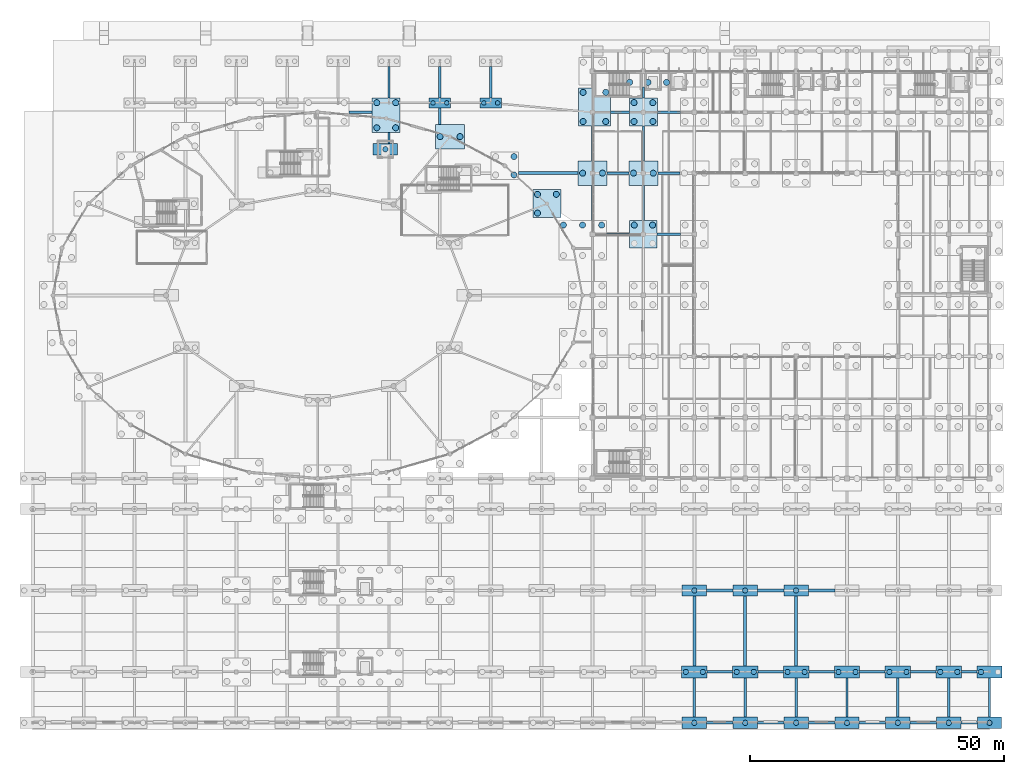
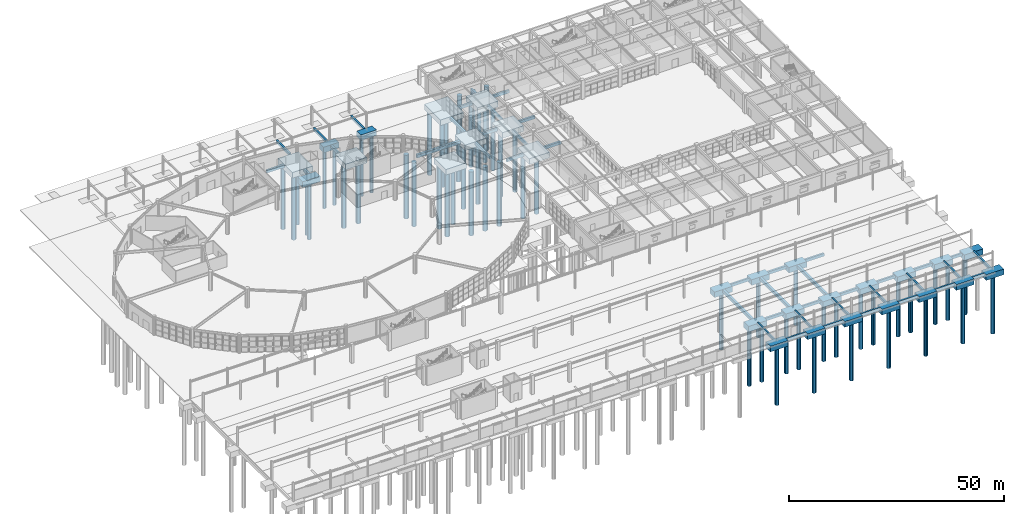
# One storey, part 5 of 99: 71 footings, 59 piles.
"""IFC4 building model written with IfcOpenShell, lengths in metres."""

from ifc_helpers import new_model, si_unit, direction, frame, origin, origin_2d, place, context, subcontext, project, spatial, rectangle, circle, extrude, material, material_profile, profile_set, type_object, element, save


model = new_model("IFC4")

# Units and contexts
model_context = context("Model", 3, precision=1e-05, world=origin(), true_north=direction((0.0, 1.0)))
body_context = subcontext(model_context, "Body", "Model", "MODEL_VIEW")
ifc_project = project(units=[si_unit("LENGTHUNIT", "METRE"), si_unit("AREAUNIT", "SQUARE_METRE"), si_unit("VOLUMEUNIT", "CUBIC_METRE"), si_unit("PLANEANGLEUNIT", "RADIAN"), si_unit("MASSUNIT", "GRAM", prefix="KILO")], contexts=[model_context])

# Site, building, storey
site_placement = place(None, origin())
site = spatial("IfcSite", under=ifc_project, at=site_placement, CompositionType="ELEMENT")
building_placement = place(site_placement, origin())
building = spatial("IfcBuilding", under=site, at=building_placement, Name="Kivolera Central Railway Station", CompositionType="ELEMENT")
storey_placement = place(building_placement, origin())
storey = spatial("IfcBuildingStorey", under=building, at=storey_placement, Name="L00", CompositionType="ELEMENT", Elevation=0.0)

# Footings
ifc_material = material(Name="Concrete C35/45", Category="concrete")
footing_type_1 = type_object("IfcFootingType", Name="FB-450x750", PredefinedType="FOOTING_BEAM", material=ifc_material)
footing_1_placement = place(storey_placement, frame((78.0, 120.910888671875, -1.10009765625), z_axis=(0.0, 0.0, 1.0), x_axis=(1.0, 0.0, 0.0)))
element("IfcFooting", 1, at=footing_1_placement, inside=storey, type_object=footing_type_1, Name="Foundation Tie Beam FDN-FBY-193", PredefinedType="FOOTING_BEAM", context=body_context, shape_type="SweptSolid", body=[
    extrude(rectangle(XDim=0.449951171875, YDim=2.222900390625, at=origin_2d()), origin(), (0.0, 0.0, 1.0), 0.75),
])
footing_2_placement = place(storey_placement, frame((78.0, 131.875, -0.75), z_axis=(0.0, 0.0, 1.0), x_axis=(1.0, 0.0, 0.0)))
element("IfcFooting", 2, at=footing_2_placement, inside=storey, type_object=footing_type_1, Name="Foundation Tie Beam FDN-FBY-194", PredefinedType="FOOTING_BEAM", context=body_context, shape_type="SweptSolid", body=[
    extrude(rectangle(XDim=0.449951171875, YDim=6.25, at=origin_2d()), origin(), (0.0, 0.0, 1.0), 0.75),
])
footing_3_placement = place(storey_placement, frame((88.0, 125.212890625, -0.75), z_axis=(0.0, 0.0, 1.0), x_axis=(1.0, 0.0, 0.0)))
element("IfcFooting", 3, at=footing_3_placement, inside=storey, type_object=footing_type_1, Name="Foundation Tie Beam FDN-FBY-203", PredefinedType="FOOTING_BEAM", context=body_context, shape_type="SweptSolid", body=[
    extrude(rectangle(XDim=0.449951171875, YDim=3.27294921875, at=origin_2d()), origin(), (0.0, 0.0, 1.0), 0.75),
])
for number, where, z_axis, x_axis, name in (
    (4, (88.0, 131.875, -0.75), (0.0, 0.0, 1.0), (1.0, 0.0, 0.0), "Foundation Tie Beam FDN-FBY-204"),
    (5, (98.0, 131.875, -0.75), (0.0, 0.0, 1.0), (1.0, 0.0, 0.0), "Foundation Tie Beam FDN-FBY-209"),
):
    element("IfcFooting", number, at=place(storey_placement, frame(where, z_axis=z_axis, x_axis=x_axis)), inside=storey, type_object=footing_type_1, Name=name, PredefinedType="FOOTING_BEAM", context=body_context, shape_type="SweptSolid", body=[
        extrude(rectangle(XDim=0.449951171875, YDim=6.25, at=origin_2d()), origin(), (0.0, 0.0, 1.0), 0.75),
    ])
footing_4_placement = place(storey_placement, frame((118.0, 108.14990234375, -1.10009765625), z_axis=(0.0, 0.0, 1.0), x_axis=(1.0, 0.0, 0.0)))
element("IfcFooting", 6, at=footing_4_placement, inside=storey, type_object=footing_type_1, Name="Foundation Tie Beam FDN-FBY-223", PredefinedType="FOOTING_BEAM", context=body_context, shape_type="SweptSolid", body=[
    extrude(rectangle(XDim=0.449951171875, YDim=6.89990234375, at=origin_2d()), origin(), (0.0, 0.0, 1.0), 0.75),
])
footing_5_placement = place(storey_placement, frame((118.0, 119.824951171875, -1.10009765625), z_axis=(0.0, 0.0, 1.0), x_axis=(1.0, 0.0, 0.0)))
element("IfcFooting", 7, at=footing_5_placement, inside=storey, type_object=footing_type_1, Name="Foundation Tie Beam FDN-FBY-224", PredefinedType="FOOTING_BEAM", context=body_context, shape_type="SweptSolid", body=[
    extrude(rectangle(XDim=0.449951171875, YDim=6.85009765625, at=origin_2d()), origin(), (0.0, 0.0, 1.0), 0.75),
])
footing_6_placement = place(storey_placement, frame((128.0, 108.14990234375, -1.10009765625), z_axis=(0.0, 0.0, 1.0), x_axis=(1.0, 0.0, 0.0)))
element("IfcFooting", 8, at=footing_6_placement, inside=storey, type_object=footing_type_1, Name="Foundation Tie Beam FDN-FBY-234", PredefinedType="FOOTING_BEAM", context=body_context, shape_type="SweptSolid", body=[
    extrude(rectangle(XDim=0.449951171875, YDim=6.89990234375, at=origin_2d()), origin(), (0.0, 0.0, 1.0), 0.75),
])
footing_7_placement = place(storey_placement, frame((128.0, 119.824951171875, -1.10009765625), z_axis=(0.0, 0.0, 1.0), x_axis=(1.0, 0.0, 0.0)))
element("IfcFooting", 9, at=footing_7_placement, inside=storey, type_object=footing_type_1, Name="Foundation Tie Beam FDN-FBY-235", PredefinedType="FOOTING_BEAM", context=body_context, shape_type="SweptSolid", body=[
    extrude(rectangle(XDim=0.449951171875, YDim=6.85009765625, at=origin_2d()), origin(), (0.0, 0.0, 1.0), 0.75),
])
footing_8_placement = place(storey_placement, frame((128.0, 129.85009765625, -1.10009765625), z_axis=(0.0, 0.0, 1.0), x_axis=(1.0, 0.0, 0.0)))
element("IfcFooting", 10, at=footing_8_placement, inside=storey, type_object=footing_type_1, Name="Foundation Tie Beam FDN-FBY-236", PredefinedType="FOOTING_BEAM", context=body_context, shape_type="SweptSolid", body=[
    extrude(rectangle(XDim=0.449951171875, YDim=2.199951171875, at=origin_2d()), origin(), (0.0, 0.0, 1.0), 0.75),
])
for number, where, z_axis, x_axis, name in (
    (11, (138.0, 10.97509765625, -0.75), (0.0, 0.0, 1.0), (1.0, 0.0, 0.0), "Foundation Tie Beam FDN-FBY-237"),
    (12, (148.0, 10.97509765625, -0.75), (0.0, 0.0, 1.0), (1.0, 0.0, 0.0), "Foundation Tie Beam FDN-FBY-248"),
    (13, (158.0, 10.97509765625, -0.75), (0.0, 0.0, 1.0), (1.0, 0.0, 0.0), "Foundation Tie Beam FDN-FBY-256"),
    (14, (168.0, 10.97509765625, -0.75), (0.0, 0.0, 1.0), (1.0, 0.0, 0.0), "Foundation Tie Beam FDN-FBY-264"),
    (15, (178.0, 10.97509765625, -0.75), (0.0, 0.0, 1.0), (1.0, 0.0, 0.0), "Foundation Tie Beam FDN-FBY-272"),
    (16, (188.0, 10.97509765625, -0.75), (0.0, 0.0, 1.0), (1.0, 0.0, 0.0), "Foundation Tie Beam FDN-FBY-282"),
    (17, (196.0, 10.97509765625, -0.75), (0.0, 0.0, 1.0), (1.0, 0.0, 0.0), "Foundation Tie Beam FDN-FBY-293"),
):
    element("IfcFooting", number, at=place(storey_placement, frame(where, z_axis=z_axis, x_axis=x_axis)), inside=storey, type_object=footing_type_1, Name=name, PredefinedType="FOOTING_BEAM", context=body_context, shape_type="SweptSolid", body=[
        extrude(rectangle(XDim=0.449951171875, YDim=7.75, at=origin_2d()), origin(), (0.0, 0.0, 1.0), 0.75),
    ])
footing_type_2 = type_object("IfcFootingType", Name="FB-500x800", PredefinedType="FOOTING_BEAM", material=ifc_material)
for number, where, z_axis, x_axis, name in (
    (18, (143.0, 6.0, -0.7998046875), (0.0, 0.0, 1.0), (1.0, 0.0, 0.0), "Foundation Tie Beam FDN-FBX-014"),
    (19, (153.0, 6.0, -0.7998046875), (0.0, 0.0, 1.0), (1.0, 0.0, 0.0), "Foundation Tie Beam FDN-FBX-015"),
    (20, (163.0, 6.0, -0.7998046875), (0.0, 0.0, 1.0), (1.0, 0.0, 0.0), "Foundation Tie Beam FDN-FBX-016"),
    (21, (173.0, 6.0, -0.7998046875), (0.0, 0.0, 1.0), (1.0, 0.0, 0.0), "Foundation Tie Beam FDN-FBX-017"),
    (22, (183.0, 6.0, -0.7998046875), (0.0, 0.0, 1.0), (1.0, 0.0, 0.0), "Foundation Tie Beam FDN-FBX-018"),
):
    element("IfcFooting", number, at=place(storey_placement, frame(where, z_axis=z_axis, x_axis=x_axis)), inside=storey, type_object=footing_type_2, Name=name, PredefinedType="FOOTING_BEAM", context=body_context, shape_type="SweptSolid", body=[
        extrude(rectangle(XDim=5.199951171875, YDim=0.5, at=origin_2d()), origin(), (0.0, 0.0, 1.0), 0.800048828125),
    ])
footing_9_placement = place(storey_placement, frame((192.0, 6.0, -0.7998046875), z_axis=(0.0, 0.0, 1.0), x_axis=(1.0, 0.0, 0.0)))
element("IfcFooting", 23, at=footing_9_placement, inside=storey, type_object=footing_type_2, Name="Foundation Tie Beam FDN-FBX-019", PredefinedType="FOOTING_BEAM", context=body_context, shape_type="SweptSolid", body=[
    extrude(rectangle(XDim=3.199951171875, YDim=0.5, at=origin_2d()), origin(), (0.0, 0.0, 1.0), 0.800048828125),
])
for number, where, z_axis, x_axis, name in (
    (24, (143.0, 16.0, -1.16015625), (0.0, 0.0, 1.0), (1.0, 0.0, 0.0), "Foundation Tie Beam FDN-FBX-032"),
    (25, (153.0, 16.0, -1.16015625), (0.0, 0.0, 1.0), (1.0, 0.0, 0.0), "Foundation Tie Beam FDN-FBX-033"),
    (26, (163.0, 16.0, -1.16015625), (0.0, 0.0, 1.0), (1.0, 0.0, 0.0), "Foundation Tie Beam FDN-FBX-034"),
    (27, (173.0, 16.0, -1.16015625), (0.0, 0.0, 1.0), (1.0, 0.0, 0.0), "Foundation Tie Beam FDN-FBX-035"),
    (28, (183.0, 16.0, -1.16015625), (0.0, 0.0, 1.0), (1.0, 0.0, 0.0), "Foundation Tie Beam FDN-FBX-036"),
):
    element("IfcFooting", number, at=place(storey_placement, frame(where, z_axis=z_axis, x_axis=x_axis)), inside=storey, type_object=footing_type_2, Name=name, PredefinedType="FOOTING_BEAM", context=body_context, shape_type="SweptSolid", body=[
        extrude(rectangle(XDim=5.0, YDim=0.5, at=origin_2d()), origin(), (0.0, 0.0, 1.0), 0.800048828125),
    ])
footing_10_placement = place(storey_placement, frame((192.0, 16.0, -1.16015625), z_axis=(0.0, 0.0, 1.0), x_axis=(1.0, 0.0, 0.0)))
element("IfcFooting", 29, at=footing_10_placement, inside=storey, type_object=footing_type_2, Name="Foundation Tie Beam FDN-FBX-037", PredefinedType="FOOTING_BEAM", context=body_context, shape_type="SweptSolid", body=[
    extrude(rectangle(XDim=3.0, YDim=0.5, at=origin_2d()), origin(), (0.0, 0.0, 1.0), 0.800048828125),
])
for number, where, z_axis, x_axis, name in (
    (30, (143.0, 32.0, -1.16015625), (0.0, 0.0, 1.0), (1.0, 0.0, 0.0), "Foundation Tie Beam FDN-FBX-050"),
    (31, (153.0, 32.0, -1.16015625), (0.0, 0.0, 1.0), (1.0, 0.0, 0.0), "Foundation Tie Beam FDN-FBX-051"),
    (32, (163.0, 32.0, -1.16015625), (0.0, 0.0, 1.0), (1.0, 0.0, 0.0), "Foundation Tie Beam FDN-FBX-052"),
):
    element("IfcFooting", number, at=place(storey_placement, frame(where, z_axis=z_axis, x_axis=x_axis)), inside=storey, type_object=footing_type_2, Name=name, PredefinedType="FOOTING_BEAM", context=body_context, shape_type="SweptSolid", body=[
        extrude(rectangle(XDim=5.199951171875, YDim=0.5, at=origin_2d()), origin(), (0.0, 0.0, 1.0), 0.800048828125),
    ])
for number, where, z_axis, x_axis, name in (
    (33, (123.0, 102.0, -1.14990234375), (0.0, 0.0, 1.0), (1.0, 0.0, 0.0), "Foundation Tie Beam FDN-FBX-117"),
    (34, (133.0, 102.0, -1.14990234375), (0.0, 0.0, 1.0), (1.0, 0.0, 0.0), "Foundation Tie Beam FDN-FBX-118"),
):
    element("IfcFooting", number, at=place(storey_placement, frame(where, z_axis=z_axis, x_axis=x_axis)), inside=storey, type_object=footing_type_2, Name=name, PredefinedType="FOOTING_BEAM", context=body_context, shape_type="SweptSolid", body=[
        extrude(rectangle(XDim=4.60009765625, YDim=0.5, at=origin_2d()), origin(), (0.0, 0.0, 1.0), 0.800048828125),
    ])
for number, where, z_axis, x_axis, name in (
    (35, (123.0, 114.0, -1.14990234375), (0.0, 0.0, 1.0), (1.0, 0.0, 0.0), "Foundation Tie Beam FDN-FBX-122"),
    (36, (133.0, 114.0, -1.14990234375), (0.0, 0.0, 1.0), (1.0, 0.0, 0.0), "Foundation Tie Beam FDN-FBX-123"),
):
    element("IfcFooting", number, at=place(storey_placement, frame(where, z_axis=z_axis, x_axis=x_axis)), inside=storey, type_object=footing_type_2, Name=name, PredefinedType="FOOTING_BEAM", context=body_context, shape_type="SweptSolid", body=[
        extrude(rectangle(XDim=4.300048828125, YDim=0.5, at=origin_2d()), origin(), (0.0, 0.0, 1.0), 0.800048828125),
    ])
footing_11_placement = place(storey_placement, frame((72.404052734375, 126.0, -1.14990234375), z_axis=(0.0, 0.0, 1.0), x_axis=(1.0, 0.0, 0.0)))
element("IfcFooting", 37, at=footing_11_placement, inside=storey, type_object=footing_type_2, Name="Foundation Tie Beam FDN-FBX-131", PredefinedType="FOOTING_BEAM", context=body_context, shape_type="SweptSolid", body=[
    extrude(rectangle(XDim=4.60888671875, YDim=0.5, at=origin_2d()), origin(), (0.0, 0.0, 1.0), 0.800048828125),
])
footing_12_placement = place(storey_placement, frame((123.375, 126.0, -1.14990234375), z_axis=(0.0, 0.0, 1.0), x_axis=(1.0, 0.0, 0.0)))
element("IfcFooting", 38, at=footing_12_placement, inside=storey, type_object=footing_type_2, Name="Foundation Tie Beam FDN-FBX-132", PredefinedType="FOOTING_BEAM", context=body_context, shape_type="SweptSolid", body=[
    extrude(rectangle(XDim=3.75, YDim=0.5, at=origin_2d()), origin(), (0.0, 0.0, 1.0), 0.800048828125),
])
footing_13_placement = place(storey_placement, frame((133.0, 126.0, -1.14990234375), z_axis=(0.0, 0.0, 1.0), x_axis=(1.0, 0.0, 0.0)))
element("IfcFooting", 39, at=footing_13_placement, inside=storey, type_object=footing_type_2, Name="Foundation Tie Beam FDN-FBX-133", PredefinedType="FOOTING_BEAM", context=body_context, shape_type="SweptSolid", body=[
    extrude(rectangle(XDim=4.5, YDim=0.5, at=origin_2d()), origin(), (0.0, 0.0, 1.0), 0.800048828125),
])
footing_type_3 = type_object("IfcFootingType", Name="FB-600x900", PredefinedType="FOOTING_BEAM", material=ifc_material)
footing_14_placement = place(storey_placement, frame((109.31005859375, 114.0, -1.25), z_axis=(0.0, 0.0, 1.0), x_axis=(1.0, 0.0, 0.0)))
element("IfcFooting", 40, at=footing_14_placement, inside=storey, type_object=footing_type_3, Name="Foundation Tie Beam FDN-FBX-121", PredefinedType="FOOTING_BEAM", context=body_context, shape_type="SweptSolid", body=[
    extrude(rectangle(XDim=11.679931640625, YDim=0.60009765625, at=origin_2d()), origin(), (0.0, 0.0, 1.0), 0.89990234375),
])
for number, where, z_axis, x_axis, name in (
    (41, (138.0, 24.02490234375, -1.260009765625), (0.0, 0.0, 1.0), (1.0, 0.0, 0.0), "Foundation Tie Beam FDN-FBY-238"),
    (42, (148.0, 24.02490234375, -1.260009765625), (0.0, 0.0, 1.0), (1.0, 0.0, 0.0), "Foundation Tie Beam FDN-FBY-249"),
    (43, (158.0, 24.02490234375, -1.260009765625), (0.0, 0.0, 1.0), (1.0, 0.0, 0.0), "Foundation Tie Beam FDN-FBY-257"),
):
    element("IfcFooting", number, at=place(storey_placement, frame(where, z_axis=z_axis, x_axis=x_axis)), inside=storey, type_object=footing_type_3, Name=name, PredefinedType="FOOTING_BEAM", context=body_context, shape_type="SweptSolid", body=[
        extrude(rectangle(XDim=0.60009765625, YDim=13.75, at=origin_2d()), origin(), (0.0, 0.0, 1.0), 0.89990234375),
    ])
footing_type_4 = type_object("IfcFootingType", Name="PC-4200x1900", PredefinedType="PILE_CAP", material=ifc_material)
for number, where, z_axis, x_axis, name in (
    (44, (88.0, 127.800048828125, -1.60009765625), (0.0, 0.0, 1.0), (1.0, 0.0, 0.0), "Pile Cap FDN-PC-204"),
    (45, (98.0, 127.800048828125, -1.60009765625), (0.0, 0.0, 1.0), (1.0, 0.0, 0.0), "Pile Cap FDN-PC-206"),
):
    element("IfcFooting", number, at=place(storey_placement, frame(where, z_axis=z_axis, x_axis=x_axis)), inside=storey, type_object=footing_type_4, Name=name, PredefinedType="PILE_CAP", context=body_context, shape_type="SweptSolid", body=[
        extrude(rectangle(XDim=4.199951171875, YDim=1.89990234375, at=origin_2d()), origin(), (0.0, 0.0, 1.0), 1.60009765625),
    ])
footing_type_5 = type_object("IfcFootingType", Name="PC-4800x2200", PredefinedType="PILE_CAP", material=ifc_material)
for number, where, z_axis, x_axis, name in (
    (46, (77.300048828125, 118.699951171875, -1.949951171875), (0.0, 0.0, 1.0), (1.0, 0.0, 0.0), "Pile Cap FDN-PC-081"),
    (47, (138.0, 6.0, -1.60009765625), (0.0, 0.0, 1.0), (1.0, 0.0, 0.0), "Pile Cap FDN-PC-137"),
    (48, (138.0, 32.0, -1.9599609375), (0.0, 0.0, 1.0), (1.0, 0.0, 0.0), "Pile Cap FDN-PC-139"),
    (49, (148.0, 6.0, -1.60009765625), (0.0, 0.0, 1.0), (1.0, 0.0, 0.0), "Pile Cap FDN-PC-141"),
    (50, (148.0, 32.0, -1.9599609375), (0.0, 0.0, 1.0), (1.0, 0.0, 0.0), "Pile Cap FDN-PC-143"),
    (51, (158.0, 6.0, -1.60009765625), (0.0, 0.0, 1.0), (1.0, 0.0, 0.0), "Pile Cap FDN-PC-145"),
    (52, (158.0, 32.0, -1.9599609375), (0.0, 0.0, 1.0), (1.0, 0.0, 0.0), "Pile Cap FDN-PC-147"),
    (53, (168.0, 6.0, -1.60009765625), (0.0, 0.0, 1.0), (1.0, 0.0, 0.0), "Pile Cap FDN-PC-149"),
    (54, (178.0, 6.0, -1.60009765625), (0.0, 0.0, 1.0), (1.0, 0.0, 0.0), "Pile Cap FDN-PC-153"),
    (55, (188.0, 6.0, -1.60009765625), (0.0, 0.0, 1.0), (1.0, 0.0, 0.0), "Pile Cap FDN-PC-157"),
    (56, (196.0, 6.0, -1.60009765625), (0.0, 0.0, 1.0), (1.0, 0.0, 0.0), "Pile Cap FDN-PC-161"),
):
    element("IfcFooting", number, at=place(storey_placement, frame(where, z_axis=z_axis, x_axis=x_axis)), inside=storey, type_object=footing_type_5, Name=name, PredefinedType="PILE_CAP", context=body_context, shape_type="SweptSolid", body=[
        extrude(rectangle(XDim=4.800048828125, YDim=2.199951171875, at=origin_2d()), origin(), (0.0, 0.0, 1.0), 1.60009765625),
    ])
footing_type_6 = type_object("IfcFootingType", Name="PC-5000x2300", PredefinedType="PILE_CAP", material=ifc_material)
for number, where, z_axis, x_axis, name in (
    (57, (138.0, 16.0, -1.9599609375), (0.0, 0.0, 1.0), (1.0, 0.0, 0.0), "Pile Cap FDN-PC-138"),
    (58, (148.0, 16.0, -1.9599609375), (0.0, 0.0, 1.0), (1.0, 0.0, 0.0), "Pile Cap FDN-PC-142"),
    (59, (158.0, 16.0, -1.9599609375), (0.0, 0.0, 1.0), (1.0, 0.0, 0.0), "Pile Cap FDN-PC-146"),
    (60, (168.0, 16.0, -1.9599609375), (0.0, 0.0, 1.0), (1.0, 0.0, 0.0), "Pile Cap FDN-PC-150"),
    (61, (178.0, 16.0, -1.9599609375), (0.0, 0.0, 1.0), (1.0, 0.0, 0.0), "Pile Cap FDN-PC-154"),
    (62, (188.0, 16.0, -1.9599609375), (0.0, 0.0, 1.0), (1.0, 0.0, 0.0), "Pile Cap FDN-PC-158"),
    (63, (196.0, 16.0, -1.9599609375), (0.0, 0.0, 1.0), (1.0, 0.0, 0.0), "Pile Cap FDN-PC-162"),
):
    element("IfcFooting", number, at=place(storey_placement, frame(where, z_axis=z_axis, x_axis=x_axis)), inside=storey, type_object=footing_type_6, Name=name, PredefinedType="PILE_CAP", context=body_context, shape_type="SweptSolid", body=[
        extrude(rectangle(XDim=5.0, YDim=2.300048828125, at=origin_2d()), origin(), (0.0, 0.0, 1.0), 1.60009765625),
    ])
footing_type_7 = type_object("IfcFootingType", Name="PC-5400x5400", PredefinedType="PILE_CAP", material=ifc_material)
footing_15_placement = place(storey_placement, frame((128.0, 102.0, -1.949951171875), z_axis=(0.0, 0.0, 1.0), x_axis=(1.0, 0.0, 0.0)))
element("IfcFooting", 64, at=footing_15_placement, inside=storey, type_object=footing_type_7, Name="Pile Cap FDN-PC-014", PredefinedType="PILE_CAP", context=body_context, shape_type="SweptSolid", body=[
    extrude(rectangle(XDim=5.39990234375, YDim=5.39990234375, at=origin_2d()), origin(), (0.0, 0.0, 1.0), 1.60009765625),
])
footing_type_8 = type_object("IfcFootingType", Name="PC-5500x5500", PredefinedType="PILE_CAP", material=ifc_material)
for number, where, z_axis, x_axis, name in (
    (65, (128.0, 126.0, -1.949951171875), (0.0, 0.0, 1.0), (1.0, 0.0, 0.0), "Pile Cap FDN-PC-016"),
    (66, (109.032958984375, 108.0, -1.949951171875), (0.0, 0.0, 1.0), (1.0, 0.0, 0.0), "Pile Cap FDN-PC-165"),
):
    element("IfcFooting", number, at=place(storey_placement, frame(where, z_axis=z_axis, x_axis=x_axis)), inside=storey, type_object=footing_type_8, Name=name, PredefinedType="PILE_CAP", context=body_context, shape_type="SweptSolid", body=[
        extrude(rectangle(XDim=5.5, YDim=5.5, at=origin_2d()), origin(), (0.0, 0.0, 1.0), 1.60009765625),
    ])
footing_type_9 = type_object("IfcFootingType", Name="PC-5500x6727", PredefinedType="PILE_CAP", material=ifc_material)
footing_16_placement = place(storey_placement, frame((77.458984375, 125.385986328125, -1.949951171875), z_axis=(0.0, 0.0, 1.0), x_axis=(1.0, 0.0, 0.0)))
element("IfcFooting", 67, at=footing_16_placement, inside=storey, type_object=footing_type_9, Name="Pile Cap FDN-PC-168", PredefinedType="PILE_CAP", context=body_context, shape_type="SweptSolid", body=[
    extrude(rectangle(XDim=5.5, YDim=6.72705078125, at=origin_2d()), origin(), (0.0, 0.0, 1.0), 1.60009765625),
])
footing_type_10 = type_object("IfcFootingType", Name="PC-5700x4800", PredefinedType="PILE_CAP", material=ifc_material)
for number, where, z_axis, x_axis, name in (
    (68, (118.0, 114.0, -1.949951171875), (0.0, 0.0, 1.0), (1.0, 0.0, 0.0), "Pile Cap FDN-PC-006"),
    (69, (128.0, 114.0, -1.949951171875), (0.0, 0.0, 1.0), (1.0, 0.0, 0.0), "Pile Cap FDN-PC-015"),
    (70, (90.0, 121.177001953125, -1.949951171875), (0.0, 0.0, 1.0), (1.0, 0.0, 0.0), "Pile Cap FDN-PC-167"),
):
    element("IfcFooting", number, at=place(storey_placement, frame(where, z_axis=z_axis, x_axis=x_axis)), inside=storey, type_object=footing_type_10, Name=name, PredefinedType="PILE_CAP", context=body_context, shape_type="SweptSolid", body=[
        extrude(rectangle(XDim=5.699951171875, YDim=4.800048828125, at=origin_2d()), origin(), (0.0, 0.0, 1.0), 1.60009765625),
    ])
footing_type_11 = type_object("IfcFootingType", Name="PC-6250x7530", PredefinedType="PILE_CAP", material=ifc_material)
footing_17_placement = place(storey_placement, frame((118.375, 127.014892578125, -1.949951171875), z_axis=(0.0, 0.0, 1.0), x_axis=(1.0, 0.0, 0.0)))
element("IfcFooting", 71, at=footing_17_placement, inside=storey, type_object=footing_type_11, Name="Pile Cap FDN-PC-007", PredefinedType="PILE_CAP", context=body_context, shape_type="SweptSolid", body=[
    extrude(rectangle(XDim=6.25, YDim=7.530029296875, at=origin_2d()), origin(), (0.0, 0.0, 1.0), 1.60009765625),
])

# Piles
ifc_material_profile_1 = material_profile(ifc_material, circle(Radius=0.52490234375, at=origin_2d()), Name="PILE D1050")
ifc_profile_set_1 = profile_set([ifc_material_profile_1], Name="Concrete C35/45")
pile_type_1 = type_object("IfcPileType", Name="PILE-1050", PredefinedType="BORED", material=ifc_profile_set_1)
pile_1_placement = place(storey_placement, frame((77.300048828125, 118.699951171875, -1.85009765625), z_axis=(0.0, 0.0, -1.0), x_axis=(1.0, 0.0, 0.0)))
element("IfcPile", 72, at=pile_1_placement, inside=storey, type_object=pile_type_1, Name="Bored Pile FDN-PC-081-P01", PredefinedType="BORED", context=body_context, shape_type="SweptSolid", body=[
    extrude(circle(Radius=0.52490234375, at=origin_2d()), origin(), (0.0, 0.0, 1.0), 16.14990234375),
])
pile_2_placement = place(storey_placement, frame((138.0, 6.0, -1.5), z_axis=(0.0, 0.0, -1.0), x_axis=(1.0, 0.0, 0.0)))
element("IfcPile", 73, at=pile_2_placement, inside=storey, type_object=pile_type_1, Name="Bored Pile FDN-PC-137-P01", PredefinedType="BORED", context=body_context, shape_type="SweptSolid", body=[
    extrude(circle(Radius=0.52490234375, at=origin_2d()), origin(), (0.0, 0.0, 1.0), 16.5),
])
for number, where, z_axis, x_axis, name in (
    (74, (136.324951171875, 16.0, -1.860107421875), (0.0, 0.0, -1.0), (1.0, 0.0, 0.0), "Bored Pile FDN-PC-138-P01"),
    (75, (139.675048828125, 16.0, -1.860107421875), (0.0, 0.0, -1.0), (1.0, 0.0, 0.0), "Bored Pile FDN-PC-138-P02"),
    (76, (138.0, 32.0, -1.860107421875), (0.0, 0.0, -1.0), (1.0, 0.0, 0.0), "Bored Pile FDN-PC-139-P01"),
):
    element("IfcPile", number, at=place(storey_placement, frame(where, z_axis=z_axis, x_axis=x_axis)), inside=storey, type_object=pile_type_1, Name=name, PredefinedType="BORED", context=body_context, shape_type="SweptSolid", body=[
        extrude(circle(Radius=0.52490234375, at=origin_2d()), origin(), (0.0, 0.0, 1.0), 16.139892578125),
    ])
pile_3_placement = place(storey_placement, frame((148.0, 6.0, -1.5), z_axis=(0.0, 0.0, -1.0), x_axis=(1.0, 0.0, 0.0)))
element("IfcPile", 77, at=pile_3_placement, inside=storey, type_object=pile_type_1, Name="Bored Pile FDN-PC-141-P01", PredefinedType="BORED", context=body_context, shape_type="SweptSolid", body=[
    extrude(circle(Radius=0.52490234375, at=origin_2d()), origin(), (0.0, 0.0, 1.0), 16.5),
])
for number, where, z_axis, x_axis, name in (
    (78, (146.324951171875, 16.0, -1.860107421875), (0.0, 0.0, -1.0), (1.0, 0.0, 0.0), "Bored Pile FDN-PC-142-P01"),
    (79, (149.675048828125, 16.0, -1.860107421875), (0.0, 0.0, -1.0), (1.0, 0.0, 0.0), "Bored Pile FDN-PC-142-P02"),
    (80, (148.0, 32.0, -1.860107421875), (0.0, 0.0, -1.0), (1.0, 0.0, 0.0), "Bored Pile FDN-PC-143-P01"),
):
    element("IfcPile", number, at=place(storey_placement, frame(where, z_axis=z_axis, x_axis=x_axis)), inside=storey, type_object=pile_type_1, Name=name, PredefinedType="BORED", context=body_context, shape_type="SweptSolid", body=[
        extrude(circle(Radius=0.52490234375, at=origin_2d()), origin(), (0.0, 0.0, 1.0), 16.139892578125),
    ])
pile_4_placement = place(storey_placement, frame((158.0, 6.0, -1.5), z_axis=(0.0, 0.0, -1.0), x_axis=(1.0, 0.0, 0.0)))
element("IfcPile", 81, at=pile_4_placement, inside=storey, type_object=pile_type_1, Name="Bored Pile FDN-PC-145-P01", PredefinedType="BORED", context=body_context, shape_type="SweptSolid", body=[
    extrude(circle(Radius=0.52490234375, at=origin_2d()), origin(), (0.0, 0.0, 1.0), 16.5),
])
for number, where, z_axis, x_axis, name in (
    (82, (156.324951171875, 16.0, -1.860107421875), (0.0, 0.0, -1.0), (1.0, 0.0, 0.0), "Bored Pile FDN-PC-146-P01"),
    (83, (159.675048828125, 16.0, -1.860107421875), (0.0, 0.0, -1.0), (1.0, 0.0, 0.0), "Bored Pile FDN-PC-146-P02"),
    (84, (158.0, 32.0, -1.860107421875), (0.0, 0.0, -1.0), (1.0, 0.0, 0.0), "Bored Pile FDN-PC-147-P01"),
):
    element("IfcPile", number, at=place(storey_placement, frame(where, z_axis=z_axis, x_axis=x_axis)), inside=storey, type_object=pile_type_1, Name=name, PredefinedType="BORED", context=body_context, shape_type="SweptSolid", body=[
        extrude(circle(Radius=0.52490234375, at=origin_2d()), origin(), (0.0, 0.0, 1.0), 16.139892578125),
    ])
pile_5_placement = place(storey_placement, frame((168.0, 6.0, -1.5), z_axis=(0.0, 0.0, -1.0), x_axis=(1.0, 0.0, 0.0)))
element("IfcPile", 85, at=pile_5_placement, inside=storey, type_object=pile_type_1, Name="Bored Pile FDN-PC-149-P01", PredefinedType="BORED", context=body_context, shape_type="SweptSolid", body=[
    extrude(circle(Radius=0.52490234375, at=origin_2d()), origin(), (0.0, 0.0, 1.0), 16.5),
])
for number, where, z_axis, x_axis, name in (
    (86, (166.324951171875, 16.0, -1.860107421875), (0.0, 0.0, -1.0), (1.0, 0.0, 0.0), "Bored Pile FDN-PC-150-P01"),
    (87, (169.675048828125, 16.0, -1.860107421875), (0.0, 0.0, -1.0), (1.0, 0.0, 0.0), "Bored Pile FDN-PC-150-P02"),
):
    element("IfcPile", number, at=place(storey_placement, frame(where, z_axis=z_axis, x_axis=x_axis)), inside=storey, type_object=pile_type_1, Name=name, PredefinedType="BORED", context=body_context, shape_type="SweptSolid", body=[
        extrude(circle(Radius=0.52490234375, at=origin_2d()), origin(), (0.0, 0.0, 1.0), 16.139892578125),
    ])
pile_6_placement = place(storey_placement, frame((178.0, 6.0, -1.5), z_axis=(0.0, 0.0, -1.0), x_axis=(1.0, 0.0, 0.0)))
element("IfcPile", 88, at=pile_6_placement, inside=storey, type_object=pile_type_1, Name="Bored Pile FDN-PC-153-P01", PredefinedType="BORED", context=body_context, shape_type="SweptSolid", body=[
    extrude(circle(Radius=0.52490234375, at=origin_2d()), origin(), (0.0, 0.0, 1.0), 16.5),
])
for number, where, z_axis, x_axis, name in (
    (89, (176.324951171875, 16.0, -1.860107421875), (0.0, 0.0, -1.0), (1.0, 0.0, 0.0), "Bored Pile FDN-PC-154-P01"),
    (90, (179.675048828125, 16.0, -1.860107421875), (0.0, 0.0, -1.0), (1.0, 0.0, 0.0), "Bored Pile FDN-PC-154-P02"),
):
    element("IfcPile", number, at=place(storey_placement, frame(where, z_axis=z_axis, x_axis=x_axis)), inside=storey, type_object=pile_type_1, Name=name, PredefinedType="BORED", context=body_context, shape_type="SweptSolid", body=[
        extrude(circle(Radius=0.52490234375, at=origin_2d()), origin(), (0.0, 0.0, 1.0), 16.139892578125),
    ])
pile_7_placement = place(storey_placement, frame((188.0, 6.0, -1.5), z_axis=(0.0, 0.0, -1.0), x_axis=(1.0, 0.0, 0.0)))
element("IfcPile", 91, at=pile_7_placement, inside=storey, type_object=pile_type_1, Name="Bored Pile FDN-PC-157-P01", PredefinedType="BORED", context=body_context, shape_type="SweptSolid", body=[
    extrude(circle(Radius=0.52490234375, at=origin_2d()), origin(), (0.0, 0.0, 1.0), 16.5),
])
for number, where, z_axis, x_axis, name in (
    (92, (186.324951171875, 16.0, -1.860107421875), (0.0, 0.0, -1.0), (1.0, 0.0, 0.0), "Bored Pile FDN-PC-158-P01"),
    (93, (189.675048828125, 16.0, -1.860107421875), (0.0, 0.0, -1.0), (1.0, 0.0, 0.0), "Bored Pile FDN-PC-158-P02"),
):
    element("IfcPile", number, at=place(storey_placement, frame(where, z_axis=z_axis, x_axis=x_axis)), inside=storey, type_object=pile_type_1, Name=name, PredefinedType="BORED", context=body_context, shape_type="SweptSolid", body=[
        extrude(circle(Radius=0.52490234375, at=origin_2d()), origin(), (0.0, 0.0, 1.0), 16.139892578125),
    ])
pile_8_placement = place(storey_placement, frame((196.0, 6.0, -1.5), z_axis=(0.0, 0.0, -1.0), x_axis=(1.0, 0.0, 0.0)))
element("IfcPile", 94, at=pile_8_placement, inside=storey, type_object=pile_type_1, Name="Bored Pile FDN-PC-161-P01", PredefinedType="BORED", context=body_context, shape_type="SweptSolid", body=[
    extrude(circle(Radius=0.52490234375, at=origin_2d()), origin(), (0.0, 0.0, 1.0), 16.5),
])
pile_9_placement = place(storey_placement, frame((194.324951171875, 16.0, -1.860107421875), z_axis=(0.0, 0.0, -1.0), x_axis=(1.0, 0.0, 0.0)))
element("IfcPile", 95, at=pile_9_placement, inside=storey, type_object=pile_type_1, Name="Bored Pile FDN-PC-162-P01", PredefinedType="BORED", context=body_context, shape_type="SweptSolid", body=[
    extrude(circle(Radius=0.52490234375, at=origin_2d()), origin(), (0.0, 0.0, 1.0), 16.139892578125),
])
ifc_material_profile_2 = material_profile(ifc_material, circle(Radius=0.60009765625, at=origin_2d()), Name="PILE D1200")
ifc_profile_set_2 = profile_set([ifc_material_profile_2], Name="Concrete C35/45")
pile_type_2 = type_object("IfcPileType", Name="PILE-1200", PredefinedType="BORED", material=ifc_profile_set_2)
for number, where, z_axis, x_axis, name in (
    (96, (112.278076171875, 103.800048828125, -1.85009765625), (0.0, 0.0, -1.0), (1.0, 0.0, 0.0), "Bored Pile FDN-PC-005-P02"),
    (97, (116.0390625, 103.800048828125, -1.85009765625), (0.0, 0.0, -1.0), (1.0, 0.0, 0.0), "Bored Pile FDN-PC-005-P04"),
    (98, (119.800048828125, 103.800048828125, -1.85009765625), (0.0, 0.0, -1.0), (1.0, 0.0, 0.0), "Bored Pile FDN-PC-005-P06"),
    (99, (116.050048828125, 114.0, -1.85009765625), (0.0, 0.0, -1.0), (1.0, 0.0, 0.0), "Bored Pile FDN-PC-006-P01"),
    (100, (119.949951171875, 114.0, -1.85009765625), (0.0, 0.0, -1.0), (1.0, 0.0, 0.0), "Bored Pile FDN-PC-006-P02"),
    (101, (116.14990234375, 124.14990234375, -1.85009765625), (0.0, 0.0, -1.0), (1.0, 0.0, 0.0), "Bored Pile FDN-PC-007-P01"),
    (102, (116.14990234375, 129.8798828125, -1.85009765625), (0.0, 0.0, -1.0), (1.0, 0.0, 0.0), "Bored Pile FDN-PC-007-P02"),
    (103, (120.60009765625, 124.14990234375, -1.85009765625), (0.0, 0.0, -1.0), (1.0, 0.0, 0.0), "Bored Pile FDN-PC-007-P03"),
    (104, (120.60009765625, 129.8798828125, -1.85009765625), (0.0, 0.0, -1.0), (1.0, 0.0, 0.0), "Bored Pile FDN-PC-007-P04"),
    (105, (126.199951171875, 103.800048828125, -1.85009765625), (0.0, 0.0, -1.0), (1.0, 0.0, 0.0), "Bored Pile FDN-PC-014-P02"),
    (106, (129.800048828125, 103.800048828125, -1.85009765625), (0.0, 0.0, -1.0), (1.0, 0.0, 0.0), "Bored Pile FDN-PC-014-P04"),
    (107, (126.050048828125, 114.0, -1.85009765625), (0.0, 0.0, -1.0), (1.0, 0.0, 0.0), "Bored Pile FDN-PC-015-P01"),
    (108, (129.949951171875, 114.0, -1.85009765625), (0.0, 0.0, -1.0), (1.0, 0.0, 0.0), "Bored Pile FDN-PC-015-P02"),
    (109, (126.14990234375, 124.14990234375, -1.85009765625), (0.0, 0.0, -1.0), (1.0, 0.0, 0.0), "Bored Pile FDN-PC-016-P01"),
    (110, (126.14990234375, 127.85009765625, -1.85009765625), (0.0, 0.0, -1.0), (1.0, 0.0, 0.0), "Bored Pile FDN-PC-016-P02"),
    (111, (129.85009765625, 124.14990234375, -1.85009765625), (0.0, 0.0, -1.0), (1.0, 0.0, 0.0), "Bored Pile FDN-PC-016-P03"),
    (112, (129.85009765625, 127.85009765625, -1.85009765625), (0.0, 0.0, -1.0), (1.0, 0.0, 0.0), "Bored Pile FDN-PC-016-P04"),
    (113, (125.300048828125, 131.85009765625, -1.85009765625), (0.0, 0.0, -1.0), (1.0, 0.0, 0.0), "Bored Pile FDN-PC-017-P01"),
    (114, (128.925048828125, 131.85009765625, -1.85009765625), (0.0, 0.0, -1.0), (1.0, 0.0, 0.0), "Bored Pile FDN-PC-017-P03"),
    (115, (132.550048828125, 131.85009765625, -1.85009765625), (0.0, 0.0, -1.0), (1.0, 0.0, 0.0), "Bored Pile FDN-PC-017-P05"),
    (116, (107.18310546875, 106.14990234375, -1.85009765625), (0.0, 0.0, -1.0), (1.0, 0.0, 0.0), "Bored Pile FDN-PC-165-P01"),
    (117, (107.18310546875, 109.85009765625, -1.85009765625), (0.0, 0.0, -1.0), (1.0, 0.0, 0.0), "Bored Pile FDN-PC-165-P02"),
    (118, (110.883056640625, 109.85009765625, -1.85009765625), (0.0, 0.0, -1.0), (1.0, 0.0, 0.0), "Bored Pile FDN-PC-165-P03"),
    (119, (102.570068359375, 113.656005859375, -1.85009765625), (0.0, 0.0, -1.0), (1.0, 0.0, 0.0), "Bored Pile FDN-PC-166-P03"),
    (120, (102.570068359375, 117.256103515625, -1.85009765625), (0.0, 0.0, -1.0), (1.0, 0.0, 0.0), "Bored Pile FDN-PC-166-P04"),
    (121, (88.050048828125, 121.177001953125, -1.85009765625), (0.0, 0.0, -1.0), (1.0, 0.0, 0.0), "Bored Pile FDN-PC-167-P01"),
    (122, (91.949951171875, 121.177001953125, -1.85009765625), (0.0, 0.0, -1.0), (1.0, 0.0, 0.0), "Bored Pile FDN-PC-167-P02"),
    (123, (75.60888671875, 122.923095703125, -1.85009765625), (0.0, 0.0, -1.0), (1.0, 0.0, 0.0), "Bored Pile FDN-PC-168-P01"),
    (124, (75.60888671875, 127.85009765625, -1.85009765625), (0.0, 0.0, -1.0), (1.0, 0.0, 0.0), "Bored Pile FDN-PC-168-P02"),
    (125, (79.30908203125, 122.923095703125, -1.85009765625), (0.0, 0.0, -1.0), (1.0, 0.0, 0.0), "Bored Pile FDN-PC-168-P03"),
    (126, (79.30908203125, 127.85009765625, -1.85009765625), (0.0, 0.0, -1.0), (1.0, 0.0, 0.0), "Bored Pile FDN-PC-168-P04"),
):
    element("IfcPile", number, at=place(storey_placement, frame(where, z_axis=z_axis, x_axis=x_axis)), inside=storey, type_object=pile_type_2, Name=name, PredefinedType="BORED", context=body_context, shape_type="SweptSolid", body=[
        extrude(circle(Radius=0.60009765625, at=origin_2d()), origin(), (0.0, 0.0, 1.0), 18.14990234375),
    ])
ifc_material_profile_3 = material_profile(ifc_material, circle(Radius=0.449951171875, at=origin_2d()), Name="PILE D900")
ifc_profile_set_3 = profile_set([ifc_material_profile_3], Name="Concrete C35/45")
pile_type_3 = type_object("IfcPileType", Name="PILE-900", PredefinedType="BORED", material=ifc_profile_set_3)
for number, where, z_axis, x_axis, name in (
    (127, (86.64990234375, 127.800048828125, -1.5), (0.0, 0.0, -1.0), (1.0, 0.0, 0.0), "Bored Pile FDN-PC-204-P01"),
    (128, (89.35009765625, 127.800048828125, -1.5), (0.0, 0.0, -1.0), (1.0, 0.0, 0.0), "Bored Pile FDN-PC-204-P02"),
    (129, (96.64990234375, 127.800048828125, -1.5), (0.0, 0.0, -1.0), (1.0, 0.0, 0.0), "Bored Pile FDN-PC-206-P01"),
    (130, (99.35009765625, 127.800048828125, -1.5), (0.0, 0.0, -1.0), (1.0, 0.0, 0.0), "Bored Pile FDN-PC-206-P02"),
):
    element("IfcPile", number, at=place(storey_placement, frame(where, z_axis=z_axis, x_axis=x_axis)), inside=storey, type_object=pile_type_3, Name=name, PredefinedType="BORED", context=body_context, shape_type="SweptSolid", body=[
        extrude(circle(Radius=0.449951171875, at=origin_2d()), origin(), (0.0, 0.0, 1.0), 16.5),
    ])

save(model, "model.ifc")
